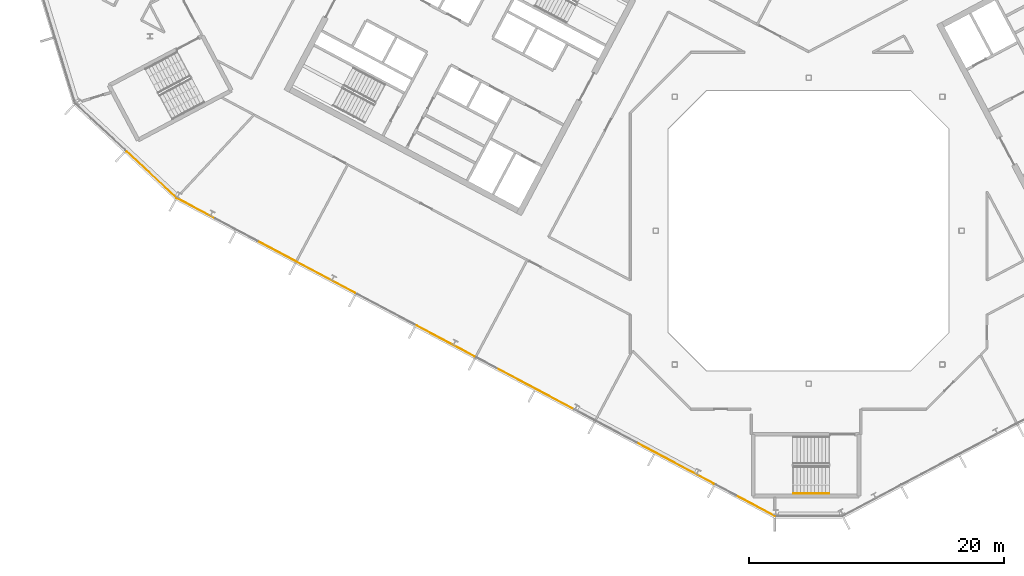
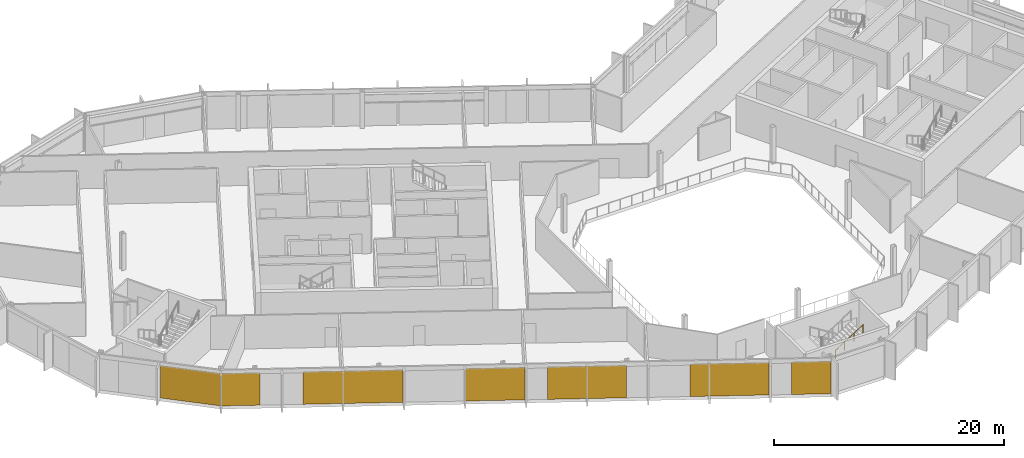
# One storey, part 19 of 26: 7 coverings, 1 railing, 2 elements without a shape of their own.
"""IFC4 building model written with IfcOpenShell, lengths in metres."""

from ifc_helpers import new_model, si_unit, direction, frame, origin, origin_2d, place, context, subcontext, project, spatial, polyline, rectangle, outline, extrude, material, layer, layer_set, type_object, element, aggregate, save


model = new_model("IFC4")

# Units and contexts
model_context = context("Model", 3, precision=1e-05, world=origin(), true_north=direction((0.0, 1.0)))
body_context = subcontext(model_context, "Body", "Model", "MODEL_VIEW")
ifc_project = project(units=[si_unit("LENGTHUNIT", "METRE"), si_unit("AREAUNIT", "SQUARE_METRE"), si_unit("VOLUMEUNIT", "CUBIC_METRE"), si_unit("PLANEANGLEUNIT", "RADIAN"), si_unit("MASSUNIT", "GRAM", prefix="KILO")], contexts=[model_context])

# Site, building, storey
site_placement = place(None, origin())
site = spatial("IfcSite", under=ifc_project, at=site_placement, CompositionType="ELEMENT")
building_placement = place(site_placement, origin())
building = spatial("IfcBuilding", under=site, at=building_placement, Name="Cormorant Relay Tower", CompositionType="ELEMENT")
storey_placement = place(building_placement, frame((0.0, 0.0, 261.89990234375)))
storey = spatial("IfcBuildingStorey", under=building, at=storey_placement, Name="L58", CompositionType="ELEMENT", Elevation=261.89990234375)

# Curtain wall, covering
ifc_material_1 = material(Name="Aluminium 6063-T6 anodised bronze", Category="aluminium")
ifc_layer_1 = layer(ifc_material_1, 0.199951171875)
ifc_layer_set_1 = layer_set([ifc_layer_1], Name="CW1 unitised bronze curtain wall with vertical fins")
curtain_wall_type = type_object("IfcCurtainWallType", Name="CW1 unitised bronze curtain wall with vertical fins", PredefinedType="NOTDEFINED", material=ifc_layer_set_1)
curtain_wall_1_placement = place(storey_placement, origin())
curtain_wall_1 = element("IfcCurtainWall", 1, at=curtain_wall_1_placement, inside=storey, type_object=curtain_wall_type, Name="CW1 curtain wall 15", PredefinedType="NOTDEFINED")
ifc_material_2 = material(Name="Pale bronze anodised aluminium insulated panel", Category="aluminium")
ifc_layer_2 = layer(ifc_material_2, 0.0400390625)
ifc_layer_set_2 = layer_set([ifc_layer_2], Name="CW1 pale bronze insulated panel 40")
covering_type = type_object("IfcCoveringType", Name="CW1 pale bronze insulated panel 40", PredefinedType="CLADDING", material=ifc_layer_set_2)
covering_1_placement = place(storey_placement, frame((-51.565185546875, 4.3974609375, 0.0), z_axis=(0.0, 0.0, 1.0), x_axis=(0.731353701619, -0.681998360062, 0.0)))
covering_1 = element("IfcCovering", 2, at=covering_1_placement, type_object=covering_type, Name="CW1 panel S02", PredefinedType="CLADDING", context=body_context, shape_type="SweptSolid", body=[
    extrude(rectangle(XDim=5.360107421875, YDim=0.0400390625, at=origin_2d()), origin(), (0.0, 0.0, 1.0), 3.449951171875),
])
aggregate(curtain_wall_1, [covering_1])

# Curtain wall, coverings
curtain_wall_2_placement = place(storey_placement, origin())
curtain_wall_2 = element("IfcCurtainWall", 3, at=curtain_wall_2_placement, inside=storey, type_object=curtain_wall_type, Name="CW1 curtain wall 16", PredefinedType="NOTDEFINED")
covering_2_placement = place(storey_placement, frame((-48.048583984375, 1.7412109375, 0.0), z_axis=(0.0, 0.0, 1.0), x_axis=(0.882947592859, -0.469471562786, 0.0)))
covering_2 = element("IfcCovering", 4, at=covering_2_placement, type_object=covering_type, Name="CW1 panel S00", PredefinedType="CLADDING", context=body_context, shape_type="SweptSolid", body=[
    extrude(rectangle(XDim=3.36669921875, YDim=0.0400390625, at=origin_2d()), origin(), (0.0, 0.0, 1.0), 3.449951171875),
])
covering_3_placement = place(storey_placement, frame((-39.417724609375, -2.847900390625, 0.0), z_axis=(0.0, 0.0, 1.0), x_axis=(0.882947592859, -0.469471562786, 0.0)))
covering_3 = element("IfcCovering", 5, at=covering_3_placement, type_object=covering_type, Name="CW1 panel S03", PredefinedType="CLADDING", context=body_context, shape_type="SweptSolid", body=[
    extrude(rectangle(XDim=8.68310546875, YDim=0.0400390625, at=origin_2d()), origin(), (0.0, 0.0, 1.0), 3.449951171875),
])
covering_4_placement = place(storey_placement, frame((-28.476806640625, -8.665283203125, 0.0), z_axis=(0.0, 0.0, 1.0), x_axis=(0.882947592859, -0.469471562786, 0.0)))
covering_4 = element("IfcCovering", 6, at=covering_4_placement, type_object=covering_type, Name="CW1 panel S05", PredefinedType="CLADDING", context=body_context, shape_type="SweptSolid", body=[
    extrude(rectangle(XDim=5.16650390625, YDim=0.0400390625, at=origin_2d()), origin(), (0.0, 0.0, 1.0), 3.449951171875),
])
covering_5_placement = place(storey_placement, frame((-21.435302734375, -12.4091796875, 0.0), z_axis=(0.0, 0.0, 1.0), x_axis=(0.882947592859, -0.469471562786, 0.0)))
covering_5 = element("IfcCovering", 7, at=covering_5_placement, type_object=covering_type, Name="CW1 panel S07", PredefinedType="CLADDING", context=body_context, shape_type="SweptSolid", body=[
    extrude(rectangle(XDim=6.88330078125, YDim=0.0400390625, at=origin_2d()), origin(), (0.0, 0.0, 1.0), 3.449951171875),
])
covering_6_placement = place(storey_placement, frame((-10.45751953125, -18.246337890625, 0.0), z_axis=(0.0, 0.0, 1.0), x_axis=(0.882947592859, -0.469471562786, 0.0)))
covering_6 = element("IfcCovering", 8, at=covering_6_placement, type_object=covering_type, Name="CW1 panel S10", PredefinedType="CLADDING", context=body_context, shape_type="SweptSolid", body=[
    extrude(rectangle(XDim=6.88330078125, YDim=0.0400390625, at=origin_2d()), origin(), (0.0, 0.0, 1.0), 3.449951171875),
])
covering_7_placement = place(storey_placement, frame((-4.177490234375, -21.58544921875, 0.0), z_axis=(0.0, 0.0, 1.0), x_axis=(0.882947592859, -0.469471562786, 0.0)))
covering_7 = element("IfcCovering", 9, at=covering_7_placement, type_object=covering_type, Name="CW1 panel S12", PredefinedType="CLADDING", context=body_context, shape_type="SweptSolid", body=[
    extrude(rectangle(XDim=3.441650390625, YDim=0.0400390625, at=origin_2d()), origin(), (0.0, 0.0, 1.0), 3.449951171875),
])
aggregate(curtain_wall_2, [covering_2, covering_3, covering_4, covering_5, covering_6, covering_7])

# Railing
ifc_material_3 = material(Name="Steel ASTM A572 Grade 50 (Fy 345 MPa)", Category="steel")
railing_type = type_object("IfcRailingType", Name="Stair handrail 900", PredefinedType="HANDRAIL", material=ifc_material_3)
railing_placement = place(storey_placement, frame((-1.199951171875, -20.625, 2.12744140625)))
element("IfcRailing", 10, at=railing_placement, inside=storey, type_object=railing_type, Name="L58 RK1 stair handrail 2", PredefinedType="HANDRAIL", context=body_context, shape_type="SweptSolid", body=[
    extrude(outline(polyline([(0.022216796875, 0.00927734375), (0.00927734375, 0.022216796875), (-0.00927734375, 0.022216796875), (-0.022216796875, 0.00927734375), (-0.022216796875, -0.00927734375), (-0.00927734375, -0.022216796875), (0.00927734375, -0.022216796875), (0.022216796875, -0.00927734375), (0.022216796875, 0.00927734375)])), frame((0.0, 0.0, 0.8759765625), z_axis=(0.844908973607, 0.0, 0.534910110503), x_axis=(0.0, 1.0, 0.0)), (0.0, 0.0, 1.0), 3.31396484375),
    extrude(outline(polyline([(0.019287109375, 0.008056640625), (0.008056640625, 0.019287109375), (-0.008056640625, 0.019287109375), (-0.019287109375, 0.008056640625), (-0.019287109375, -0.008056640625), (-0.008056640625, -0.019287109375), (0.008056640625, -0.019287109375), (0.019287109375, -0.008056640625), (0.019287109375, 0.008056640625)])), origin(), (0.0, 0.0, 1.0), 0.851806640625),
    extrude(outline(polyline([(0.019287109375, 0.008056640625), (0.008056640625, 0.019287109375), (-0.008056640625, 0.019287109375), (-0.019287109375, 0.008056640625), (-0.019287109375, -0.008056640625), (-0.008056640625, -0.019287109375), (0.008056640625, -0.019287109375), (0.019287109375, -0.008056640625), (0.019287109375, 0.008056640625)])), frame((0.933349609375, 0.0, 0.5908203125)), (0.0, 0.0, 1.0), 0.851806640625),
    extrude(outline(polyline([(0.019287109375, 0.008056640625), (0.008056640625, 0.019287109375), (-0.008056640625, 0.019287109375), (-0.019287109375, 0.008056640625), (-0.019287109375, -0.008056640625), (-0.008056640625, -0.019287109375), (0.008056640625, -0.019287109375), (0.019287109375, -0.008056640625), (0.019287109375, 0.008056640625)])), frame((1.86669921875, 0.0, 1.181884765625)), (0.0, 0.0, 1.0), 0.851806640625),
    extrude(outline(polyline([(0.019287109375, 0.008056640625), (0.008056640625, 0.019287109375), (-0.008056640625, 0.019287109375), (-0.019287109375, 0.008056640625), (-0.019287109375, -0.008056640625), (-0.008056640625, -0.019287109375), (0.008056640625, -0.019287109375), (0.019287109375, -0.008056640625), (0.019287109375, 0.008056640625)])), frame((2.800048828125, 0.0, 1.772705078125)), (0.0, 0.0, 1.0), 0.851806640625),
])

save(model, "model.ifc")
